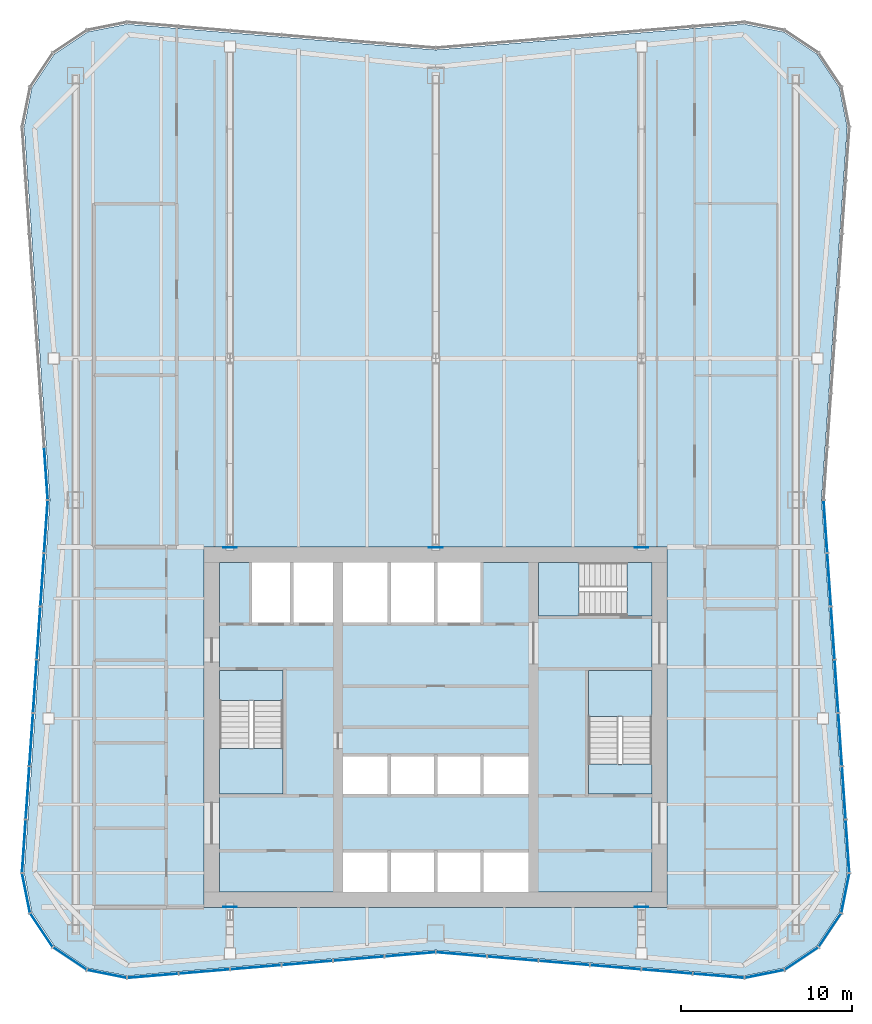
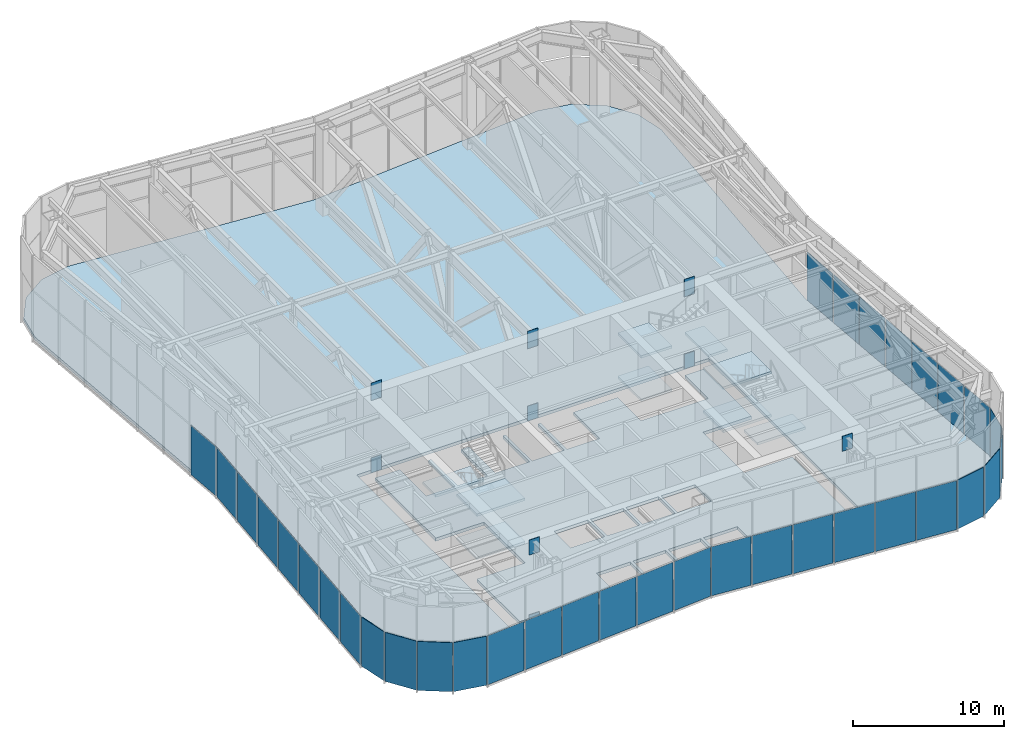
# One storey, part 7 of 14: 45 plates, 11 slabs, 8 elements without a shape of their own.
"""IFC4 building model written with IfcOpenShell, lengths in metres."""

from ifc_helpers import new_model, si_unit, direction, frame, origin, origin_2d, place, context, subcontext, project, spatial, polyline, rectangle, outline, extrude, material, layer, layer_set, type_object, element, aggregate, save


model = new_model("IFC4")

# Units and contexts
model_context = context("Model", 3, precision=1e-05, world=origin(), true_north=direction((0.0, 1.0)))
body_context = subcontext(model_context, "Body", "Model", "MODEL_VIEW")
ifc_project = project(units=[si_unit("LENGTHUNIT", "METRE"), si_unit("AREAUNIT", "SQUARE_METRE"), si_unit("VOLUMEUNIT", "CUBIC_METRE"), si_unit("PLANEANGLEUNIT", "RADIAN"), si_unit("MASSUNIT", "GRAM", prefix="KILO")], contexts=[model_context])

# Site, building, storey
site_placement = place(None, origin())
site = spatial("IfcSite", under=ifc_project, at=site_placement, CompositionType="ELEMENT")
building_placement = place(site_placement, origin())
building = spatial("IfcBuilding", under=site, at=building_placement, Name="Verdant Reach Tower", CompositionType="ELEMENT")
storey_placement = place(building_placement, frame((0.0, 0.0, 226.0)))
storey = spatial("IfcBuildingStorey", under=building, at=storey_placement, Name="L52 Plant", CompositionType="ELEMENT", Elevation=226.0)

# Stair, slabs
ifc_material_1 = material(Name="Concrete C40/50", Category="concrete")
stair_type = type_object("IfcStairType", Name="CO-STAIR", PredefinedType="HALF_TURN_STAIR", material=ifc_material_1)
stair_1_placement = place(storey_placement, origin())
stair_1 = element("IfcStair", 1, at=stair_1_placement, inside=storey, type_object=stair_type, Name="L52 Plant Exit stair 1", PredefinedType="HALF_TURN_STAIR")
ifc_layer_1 = layer(ifc_material_1, 0.199951171875)
ifc_layer_set_1 = layer_set([ifc_layer_1], Name="CO-STAIR-LANDING")
slab_type_1 = type_object("IfcSlabType", Name="CO-STAIR-LANDING", PredefinedType="LANDING", material=ifc_layer_set_1)
slab_1_placement = place(storey_placement, frame((0.0, 0.0, 1.550048828125)))
slab_1 = element("IfcSlab", 2, at=slab_1_placement, type_object=slab_type_1, Name="ST-1 landing 1", PredefinedType="LANDING", context=body_context, shape_type="SweptSolid", body=[
    extrude(outline(polyline([(-12.60009765625, 26.760009765625), (-12.60009765625, 24.10009765625), (-8.89990234375, 24.10009765625), (-8.89990234375, 26.760009765625), (-12.60009765625, 26.760009765625)])), origin(), (0.0, 0.0, 1.0), 0.199951171875),
])
slab_2_placement = place(storey_placement, frame((0.0, 0.0, 3.300048828125)))
slab_2 = element("IfcSlab", 3, at=slab_2_placement, type_object=slab_type_1, Name="ST-1 landing 2", PredefinedType="LANDING", context=body_context, shape_type="SweptSolid", body=[
    extrude(outline(polyline([(-12.60009765625, 31.300048828125), (-12.60009765625, 29.550048828125), (-8.89990234375, 29.550048828125), (-8.89990234375, 31.300048828125), (-12.60009765625, 31.300048828125)])), origin(), (0.0, 0.0, 1.0), 0.199951171875),
])
slab_3_placement = place(storey_placement, frame((0.0, 0.0, 5.050048828125)))
slab_3 = element("IfcSlab", 4, at=slab_3_placement, type_object=slab_type_1, Name="ST-1 landing 3", PredefinedType="LANDING", context=body_context, shape_type="SweptSolid", body=[
    extrude(outline(polyline([(-12.60009765625, 26.760009765625), (-12.60009765625, 24.10009765625), (-8.89990234375, 24.10009765625), (-8.89990234375, 26.760009765625), (-12.60009765625, 26.760009765625)])), origin(), (0.0, 0.0, 1.0), 0.199951171875),
])
aggregate(stair_1, [slab_1, slab_2, slab_3])

stair_2_placement = place(storey_placement, origin())
stair_2 = element("IfcStair", 5, at=stair_2_placement, inside=storey, type_object=stair_type, Name="L52 Plant Exit stair 2", PredefinedType="HALF_TURN_STAIR")
slab_4_placement = place(storey_placement, frame((0.0, 0.0, 1.550048828125)))
slab_4 = element("IfcSlab", 6, at=slab_4_placement, type_object=slab_type_1, Name="ST-2 landing 1", PredefinedType="LANDING", context=body_context, shape_type="SweptSolid", body=[
    extrude(outline(polyline([(12.60009765625, 28.639892578125), (12.60009765625, 31.300048828125), (8.89990234375, 31.300048828125), (8.89990234375, 28.639892578125), (12.60009765625, 28.639892578125)])), origin(), (0.0, 0.0, 1.0), 0.199951171875),
])
slab_5_placement = place(storey_placement, frame((0.0, 0.0, 3.300048828125)))
slab_5 = element("IfcSlab", 7, at=slab_5_placement, type_object=slab_type_1, Name="ST-2 landing 2", PredefinedType="LANDING", context=body_context, shape_type="SweptSolid", body=[
    extrude(outline(polyline([(12.60009765625, 24.10009765625), (12.60009765625, 25.85009765625), (8.89990234375, 25.85009765625), (8.89990234375, 24.10009765625), (12.60009765625, 24.10009765625)])), origin(), (0.0, 0.0, 1.0), 0.199951171875),
])
slab_6_placement = place(storey_placement, frame((0.0, 0.0, 5.050048828125)))
slab_6 = element("IfcSlab", 8, at=slab_6_placement, type_object=slab_type_1, Name="ST-2 landing 3", PredefinedType="LANDING", context=body_context, shape_type="SweptSolid", body=[
    extrude(outline(polyline([(12.60009765625, 28.639892578125), (12.60009765625, 31.300048828125), (8.89990234375, 31.300048828125), (8.89990234375, 28.639892578125), (12.60009765625, 28.639892578125)])), origin(), (0.0, 0.0, 1.0), 0.199951171875),
])
aggregate(stair_2, [slab_4, slab_5, slab_6])

stair_3_placement = place(storey_placement, origin())
stair_3 = element("IfcStair", 9, at=stair_3_placement, inside=storey, type_object=stair_type, Name="L52 Plant Exit stair 3", PredefinedType="HALF_TURN_STAIR")
slab_7_placement = place(storey_placement, frame((0.0, 0.0, 1.550048828125)))
slab_7 = element("IfcSlab", 10, at=slab_7_placement, type_object=slab_type_1, Name="ST-3 landing 1", PredefinedType="LANDING", context=body_context, shape_type="SweptSolid", body=[
    extrude(outline(polyline([(8.360107421875, 37.60009765625), (6.0, 37.60009765625), (6.0, 34.5), (8.360107421875, 34.5), (8.360107421875, 37.60009765625)])), origin(), (0.0, 0.0, 1.0), 0.199951171875),
])
slab_8_placement = place(storey_placement, frame((0.0, 0.0, 3.300048828125)))
slab_8 = element("IfcSlab", 11, at=slab_8_placement, type_object=slab_type_1, Name="ST-3 landing 2", PredefinedType="LANDING", context=body_context, shape_type="SweptSolid", body=[
    extrude(outline(polyline([(12.60009765625, 37.60009765625), (11.14990234375, 37.60009765625), (11.14990234375, 34.5), (12.60009765625, 34.5), (12.60009765625, 37.60009765625)])), origin(), (0.0, 0.0, 1.0), 0.199951171875),
])
slab_9_placement = place(storey_placement, frame((0.0, 0.0, 5.050048828125)))
slab_9 = element("IfcSlab", 12, at=slab_9_placement, type_object=slab_type_1, Name="ST-3 landing 3", PredefinedType="LANDING", context=body_context, shape_type="SweptSolid", body=[
    extrude(outline(polyline([(8.360107421875, 37.60009765625), (6.0, 37.60009765625), (6.0, 34.5), (8.360107421875, 34.5), (8.360107421875, 37.60009765625)])), origin(), (0.0, 0.0, 1.0), 0.199951171875),
])
aggregate(stair_3, [slab_7, slab_8, slab_9])

# Curtain wall, plates
ifc_material_2 = material(Name="Anodised aluminium", Category="aluminium")
curtain_wall_type = type_object("IfcCurtainWallType", Name="EN-CW SYSTEM PLANT", PredefinedType="NOTDEFINED", material=ifc_material_2)
curtain_wall_1_placement = place(storey_placement, origin())
curtain_wall_1 = element("IfcCurtainWall", 13, at=curtain_wall_1_placement, inside=storey, type_object=curtain_wall_type, Name="Curtain wall south-east corner, L52", PredefinedType="NOTDEFINED")
ifc_material_3 = material(Name="Bronze anodised aluminium solid panel", Category="aluminium")
ifc_layer_2 = layer(ifc_material_3, 0.0400390625)
ifc_layer_set_2 = layer_set([ifc_layer_2], Name="EN-PANEL SOLID")
plate_type_1 = type_object("IfcPlateType", Name="EN-PANEL SOLID", PredefinedType="CURTAIN_PANEL", material=ifc_layer_set_2)
plate_1_placement = place(storey_placement, frame((19.174072265625, 13.614013671875, -0.199951171875), z_axis=(0.0, 0.0, 1.0), x_axis=(0.980694678629, 0.195545256419, 0.0)))
plate_1 = element("IfcPlate", 14, at=plate_1_placement, type_object=plate_type_1, Name="Solid panel south-east corner 1.1, L52", PredefinedType="CURTAIN_PANEL", context=body_context, shape_type="SweptSolid", body=[
    extrude(rectangle(XDim=2.304931640625, YDim=0.0400390625, at=origin_2d()), origin(), (0.0, 0.0, 1.0), 3.97509765625),
])
plate_2_placement = place(storey_placement, frame((21.334228515625, 14.510009765625, -0.199951171875), z_axis=(0.0, 0.0, 1.0), x_axis=(0.83145208321, 0.555596466265, 0.0)))
plate_2 = element("IfcPlate", 15, at=plate_2_placement, type_object=plate_type_1, Name="Solid panel south-east corner 2.1, L52", PredefinedType="CURTAIN_PANEL", context=body_context, shape_type="SweptSolid", body=[
    extrude(rectangle(XDim=2.3115234375, YDim=0.0400390625, at=origin_2d()), origin(), (0.0, 0.0, 1.0), 3.97509765625),
])
plate_3_placement = place(storey_placement, frame((22.989990234375, 16.165771484375, -0.199951171875), z_axis=(0.0, 0.0, 1.0), x_axis=(0.555596466265, 0.83145208321, 0.0)))
plate_3 = element("IfcPlate", 16, at=plate_3_placement, type_object=plate_type_1, Name="Solid panel south-east corner 3.1, L52", PredefinedType="CURTAIN_PANEL", context=body_context, shape_type="SweptSolid", body=[
    extrude(rectangle(XDim=2.3115234375, YDim=0.0400390625, at=origin_2d()), origin(), (0.0, 0.0, 1.0), 3.97509765625),
])
plate_4_placement = place(storey_placement, frame((23.885986328125, 18.325439453125, -0.199951171875), z_axis=(0.0, 0.0, 1.0), x_axis=(0.195592962334, 0.980685165119, 0.0)))
plate_4 = element("IfcPlate", 17, at=plate_4_placement, type_object=plate_type_1, Name="Solid panel south-east corner 4.1, L52", PredefinedType="CURTAIN_PANEL", context=body_context, shape_type="SweptSolid", body=[
    extrude(rectangle(XDim=2.303955078125, YDim=0.0400390625, at=origin_2d()), origin(), (0.0, 0.0, 1.0), 3.97509765625),
])
aggregate(curtain_wall_1, [plate_1, plate_2, plate_3, plate_4])

curtain_wall_2_placement = place(storey_placement, origin())
curtain_wall_2 = element("IfcCurtainWall", 18, at=curtain_wall_2_placement, inside=storey, type_object=curtain_wall_type, Name="Curtain wall east, L52", PredefinedType="NOTDEFINED")
plate_5_placement = place(storey_placement, frame((24.011474609375, 21.053955078125, -0.199951171875), z_axis=(0.0, 0.0, 1.0), x_axis=(-0.068469163133, 0.997653233193, 0.0)))
plate_5 = element("IfcPlate", 19, at=plate_5_placement, type_object=plate_type_1, Name="Solid panel east face part 1 1.1, L52", PredefinedType="CURTAIN_PANEL", context=body_context, shape_type="SweptSolid", body=[
    extrude(rectangle(XDim=3.05419921875, YDim=0.0400390625, at=origin_2d()), origin(), (0.0, 0.0, 1.0), 3.97509765625),
])
plate_6_placement = place(storey_placement, frame((23.79736328125, 24.1689453125, -0.199951171875), z_axis=(0.0, 0.0, 1.0), x_axis=(-0.068802091615, 0.997630328423, 0.0)))
plate_6 = element("IfcPlate", 20, at=plate_6_placement, type_object=plate_type_1, Name="Solid panel east face part 1 2.1, L52", PredefinedType="CURTAIN_PANEL", context=body_context, shape_type="SweptSolid", body=[
    extrude(rectangle(XDim=3.03857421875, YDim=0.0400390625, at=origin_2d()), origin(), (0.0, 0.0, 1.0), 3.97509765625),
])
plate_7_placement = place(storey_placement, frame((23.5830078125, 27.276123046875, -0.199951171875), z_axis=(0.0, 0.0, 1.0), x_axis=(-0.068802091615, 0.997630328423, 0.0)))
plate_7 = element("IfcPlate", 21, at=plate_7_placement, type_object=plate_type_1, Name="Solid panel east face part 1 3.1, L52", PredefinedType="CURTAIN_PANEL", context=body_context, shape_type="SweptSolid", body=[
    extrude(rectangle(XDim=3.03857421875, YDim=0.0400390625, at=origin_2d()), origin(), (0.0, 0.0, 1.0), 3.97509765625),
])
plate_8_placement = place(storey_placement, frame((23.36865234375, 30.38330078125, -0.199951171875), z_axis=(0.0, 0.0, 1.0), x_axis=(-0.068802091615, 0.997630328423, 0.0)))
plate_8 = element("IfcPlate", 22, at=plate_8_placement, type_object=plate_type_1, Name="Solid panel east face part 1 4.1, L52", PredefinedType="CURTAIN_PANEL", context=body_context, shape_type="SweptSolid", body=[
    extrude(rectangle(XDim=3.03857421875, YDim=0.0400390625, at=origin_2d()), origin(), (0.0, 0.0, 1.0), 3.97509765625),
])
plate_9_placement = place(storey_placement, frame((23.154541015625, 33.490234375, -0.199951171875), z_axis=(0.0, 0.0, 1.0), x_axis=(-0.068802091615, 0.997630328423, 0.0)))
plate_9 = element("IfcPlate", 23, at=plate_9_placement, type_object=plate_type_1, Name="Solid panel east face part 1 5.1, L52", PredefinedType="CURTAIN_PANEL", context=body_context, shape_type="SweptSolid", body=[
    extrude(rectangle(XDim=3.03857421875, YDim=0.0400390625, at=origin_2d()), origin(), (0.0, 0.0, 1.0), 3.97509765625),
])
plate_10_placement = place(storey_placement, frame((22.940185546875, 36.597412109375, -0.199951171875), z_axis=(0.0, 0.0, 1.0), x_axis=(-0.068802091615, 0.997630328423, 0.0)))
plate_10 = element("IfcPlate", 24, at=plate_10_placement, type_object=plate_type_1, Name="Solid panel east face part 1 6.1, L52", PredefinedType="CURTAIN_PANEL", context=body_context, shape_type="SweptSolid", body=[
    extrude(rectangle(XDim=3.03857421875, YDim=0.0400390625, at=origin_2d()), origin(), (0.0, 0.0, 1.0), 3.97509765625),
])
plate_11_placement = place(storey_placement, frame((22.72607421875, 39.700439453125, -0.199951171875), z_axis=(0.0, 0.0, 1.0), x_axis=(-0.068892655483, 0.997624078509, 0.0)))
plate_11 = element("IfcPlate", 25, at=plate_11_placement, type_object=plate_type_1, Name="Solid panel east face part 1 7.1, L52", PredefinedType="CURTAIN_PANEL", context=body_context, shape_type="SweptSolid", body=[
    extrude(rectangle(XDim=3.0302734375, YDim=0.0400390625, at=origin_2d()), origin(), (0.0, 0.0, 1.0), 3.97509765625),
])
aggregate(curtain_wall_2, [plate_5, plate_6, plate_7, plate_8, plate_9, plate_10, plate_11])

curtain_wall_3_placement = place(storey_placement, origin())
curtain_wall_3 = element("IfcCurtainWall", 26, at=curtain_wall_3_placement, inside=storey, type_object=curtain_wall_type, Name="Curtain wall west, L52", PredefinedType="NOTDEFINED")
plate_12_placement = place(storey_placement, frame((-22.72607421875, 42.799560546875, -0.199951171875), z_axis=(0.0, 0.0, 1.0), x_axis=(0.068892655483, -0.997624078509, 0.0)))
plate_12 = element("IfcPlate", 27, at=plate_12_placement, type_object=plate_type_1, Name="Solid panel west face part 1 7.1, L52", PredefinedType="CURTAIN_PANEL", context=body_context, shape_type="SweptSolid", body=[
    extrude(rectangle(XDim=3.0302734375, YDim=0.0400390625, at=origin_2d()), origin(), (0.0, 0.0, 1.0), 3.97509765625),
])
plate_13_placement = place(storey_placement, frame((-22.72607421875, 39.700439453125, -0.199951171875), z_axis=(0.0, 0.0, 1.0), x_axis=(-0.068892655483, -0.997624078509, 0.0)))
plate_13 = element("IfcPlate", 28, at=plate_13_placement, type_object=plate_type_1, Name="Solid panel west face part 2 1.1, L52", PredefinedType="CURTAIN_PANEL", context=body_context, shape_type="SweptSolid", body=[
    extrude(rectangle(XDim=3.0302734375, YDim=0.0400390625, at=origin_2d()), origin(), (0.0, 0.0, 1.0), 3.97509765625),
])
plate_14_placement = place(storey_placement, frame((-22.940185546875, 36.597412109375, -0.199951171875), z_axis=(0.0, 0.0, 1.0), x_axis=(-0.068802091615, -0.997630328423, 0.0)))
plate_14 = element("IfcPlate", 29, at=plate_14_placement, type_object=plate_type_1, Name="Solid panel west face part 2 2.1, L52", PredefinedType="CURTAIN_PANEL", context=body_context, shape_type="SweptSolid", body=[
    extrude(rectangle(XDim=3.03857421875, YDim=0.0400390625, at=origin_2d()), origin(), (0.0, 0.0, 1.0), 3.97509765625),
])
plate_15_placement = place(storey_placement, frame((-23.154541015625, 33.490234375, -0.199951171875), z_axis=(0.0, 0.0, 1.0), x_axis=(-0.068802091615, -0.997630328423, 0.0)))
plate_15 = element("IfcPlate", 30, at=plate_15_placement, type_object=plate_type_1, Name="Solid panel west face part 2 3.1, L52", PredefinedType="CURTAIN_PANEL", context=body_context, shape_type="SweptSolid", body=[
    extrude(rectangle(XDim=3.03857421875, YDim=0.0400390625, at=origin_2d()), origin(), (0.0, 0.0, 1.0), 3.97509765625),
])
plate_16_placement = place(storey_placement, frame((-23.36865234375, 30.38330078125, -0.199951171875), z_axis=(0.0, 0.0, 1.0), x_axis=(-0.068802091615, -0.997630328423, 0.0)))
plate_16 = element("IfcPlate", 31, at=plate_16_placement, type_object=plate_type_1, Name="Solid panel west face part 2 4.1, L52", PredefinedType="CURTAIN_PANEL", context=body_context, shape_type="SweptSolid", body=[
    extrude(rectangle(XDim=3.03857421875, YDim=0.0400390625, at=origin_2d()), origin(), (0.0, 0.0, 1.0), 3.97509765625),
])
plate_17_placement = place(storey_placement, frame((-23.5830078125, 27.276123046875, -0.199951171875), z_axis=(0.0, 0.0, 1.0), x_axis=(-0.068802091615, -0.997630328423, 0.0)))
plate_17 = element("IfcPlate", 32, at=plate_17_placement, type_object=plate_type_1, Name="Solid panel west face part 2 5.1, L52", PredefinedType="CURTAIN_PANEL", context=body_context, shape_type="SweptSolid", body=[
    extrude(rectangle(XDim=3.03857421875, YDim=0.0400390625, at=origin_2d()), origin(), (0.0, 0.0, 1.0), 3.97509765625),
])
plate_18_placement = place(storey_placement, frame((-23.79736328125, 24.1689453125, -0.199951171875), z_axis=(0.0, 0.0, 1.0), x_axis=(-0.068802091615, -0.997630328423, 0.0)))
plate_18 = element("IfcPlate", 33, at=plate_18_placement, type_object=plate_type_1, Name="Solid panel west face part 2 6.1, L52", PredefinedType="CURTAIN_PANEL", context=body_context, shape_type="SweptSolid", body=[
    extrude(rectangle(XDim=3.03857421875, YDim=0.0400390625, at=origin_2d()), origin(), (0.0, 0.0, 1.0), 3.97509765625),
])
plate_19_placement = place(storey_placement, frame((-24.011474609375, 21.053955078125, -0.199951171875), z_axis=(0.0, 0.0, 1.0), x_axis=(-0.068469163133, -0.997653233193, 0.0)))
plate_19 = element("IfcPlate", 34, at=plate_19_placement, type_object=plate_type_1, Name="Solid panel west face part 2 7.1, L52", PredefinedType="CURTAIN_PANEL", context=body_context, shape_type="SweptSolid", body=[
    extrude(rectangle(XDim=3.05419921875, YDim=0.0400390625, at=origin_2d()), origin(), (0.0, 0.0, 1.0), 3.97509765625),
])
aggregate(curtain_wall_3, [plate_12, plate_13, plate_14, plate_15, plate_16, plate_17, plate_18, plate_19])

curtain_wall_4_placement = place(storey_placement, origin())
curtain_wall_4 = element("IfcCurtainWall", 35, at=curtain_wall_4_placement, inside=storey, type_object=curtain_wall_type, Name="Curtain wall south-west corner, L52", PredefinedType="NOTDEFINED")
plate_20_placement = place(storey_placement, frame((-23.885986328125, 18.325439453125, -0.199951171875), z_axis=(0.0, 0.0, 1.0), x_axis=(0.195592962334, -0.980685165119, 0.0)))
plate_20 = element("IfcPlate", 36, at=plate_20_placement, type_object=plate_type_1, Name="Solid panel south-west corner 1.1, L52", PredefinedType="CURTAIN_PANEL", context=body_context, shape_type="SweptSolid", body=[
    extrude(rectangle(XDim=2.303955078125, YDim=0.0400390625, at=origin_2d()), origin(), (0.0, 0.0, 1.0), 3.97509765625),
])
plate_21_placement = place(storey_placement, frame((-22.989990234375, 16.165771484375, -0.199951171875), z_axis=(0.0, 0.0, 1.0), x_axis=(0.555596466265, -0.83145208321, 0.0)))
plate_21 = element("IfcPlate", 37, at=plate_21_placement, type_object=plate_type_1, Name="Solid panel south-west corner 2.1, L52", PredefinedType="CURTAIN_PANEL", context=body_context, shape_type="SweptSolid", body=[
    extrude(rectangle(XDim=2.3115234375, YDim=0.0400390625, at=origin_2d()), origin(), (0.0, 0.0, 1.0), 3.97509765625),
])
plate_22_placement = place(storey_placement, frame((-21.334228515625, 14.510009765625, -0.199951171875), z_axis=(0.0, 0.0, 1.0), x_axis=(0.83145208321, -0.555596466265, 0.0)))
plate_22 = element("IfcPlate", 38, at=plate_22_placement, type_object=plate_type_1, Name="Solid panel south-west corner 3.1, L52", PredefinedType="CURTAIN_PANEL", context=body_context, shape_type="SweptSolid", body=[
    extrude(rectangle(XDim=2.3115234375, YDim=0.0400390625, at=origin_2d()), origin(), (0.0, 0.0, 1.0), 3.97509765625),
])
plate_23_placement = place(storey_placement, frame((-19.174072265625, 13.614013671875, -0.199951171875), z_axis=(0.0, 0.0, 1.0), x_axis=(0.980694678629, -0.195545256419, 0.0)))
plate_23 = element("IfcPlate", 39, at=plate_23_placement, type_object=plate_type_1, Name="Solid panel south-west corner 4.1, L52", PredefinedType="CURTAIN_PANEL", context=body_context, shape_type="SweptSolid", body=[
    extrude(rectangle(XDim=2.304931640625, YDim=0.0400390625, at=origin_2d()), origin(), (0.0, 0.0, 1.0), 3.97509765625),
])
aggregate(curtain_wall_4, [plate_20, plate_21, plate_22, plate_23])

curtain_wall_5_placement = place(storey_placement, origin())
curtain_wall_5 = element("IfcCurtainWall", 40, at=curtain_wall_5_placement, inside=storey, type_object=curtain_wall_type, Name="Curtain wall south, L52", PredefinedType="NOTDEFINED")
plate_24_placement = place(storey_placement, frame((-16.49853515625, 13.50634765625, -0.199951171875), z_axis=(0.0, 0.0, 1.0), x_axis=(0.996577509664, 0.082663578629, 0.0)))
plate_24 = element("IfcPlate", 41, at=plate_24_placement, type_object=plate_type_1, Name="Solid panel south face part 1 1.1, L52", PredefinedType="CURTAIN_PANEL", context=body_context, shape_type="SweptSolid", body=[
    extrude(rectangle(XDim=2.950927734375, YDim=0.0400390625, at=origin_2d()), origin(), (0.0, 0.0, 1.0), 3.97509765625),
])
plate_25_placement = place(storey_placement, frame((-13.490234375, 13.75634765625, -0.199951171875), z_axis=(0.0, 0.0, 1.0), x_axis=(0.996545758244, 0.083045479859, 0.0)))
plate_25 = element("IfcPlate", 42, at=plate_25_placement, type_object=plate_type_1, Name="Solid panel south face part 1 2.1, L52", PredefinedType="CURTAIN_PANEL", context=body_context, shape_type="SweptSolid", body=[
    extrude(rectangle(XDim=2.934326171875, YDim=0.0400390625, at=origin_2d()), origin(), (0.0, 0.0, 1.0), 3.97509765625),
])
plate_26_placement = place(storey_placement, frame((-10.490234375, 14.00634765625, -0.199951171875), z_axis=(0.0, 0.0, 1.0), x_axis=(0.996545758244, 0.083045479859, 0.0)))
plate_26 = element("IfcPlate", 43, at=plate_26_placement, type_object=plate_type_1, Name="Solid panel south face part 1 3.1, L52", PredefinedType="CURTAIN_PANEL", context=body_context, shape_type="SweptSolid", body=[
    extrude(rectangle(XDim=2.934326171875, YDim=0.0400390625, at=origin_2d()), origin(), (0.0, 0.0, 1.0), 3.97509765625),
])
plate_27_placement = place(storey_placement, frame((-7.490234375, 14.25634765625, -0.199951171875), z_axis=(0.0, 0.0, 1.0), x_axis=(0.996545758244, 0.083045479859, 0.0)))
plate_27 = element("IfcPlate", 44, at=plate_27_placement, type_object=plate_type_1, Name="Solid panel south face part 1 4.1, L52", PredefinedType="CURTAIN_PANEL", context=body_context, shape_type="SweptSolid", body=[
    extrude(rectangle(XDim=2.934326171875, YDim=0.0400390625, at=origin_2d()), origin(), (0.0, 0.0, 1.0), 3.97509765625),
])
plate_28_placement = place(storey_placement, frame((-4.490234375, 14.50634765625, -0.199951171875), z_axis=(0.0, 0.0, 1.0), x_axis=(0.996545758244, 0.083045479859, 0.0)))
plate_28 = element("IfcPlate", 45, at=plate_28_placement, type_object=plate_type_1, Name="Solid panel south face part 1 5.1, L52", PredefinedType="CURTAIN_PANEL", context=body_context, shape_type="SweptSolid", body=[
    extrude(rectangle(XDim=2.934326171875, YDim=0.0400390625, at=origin_2d()), origin(), (0.0, 0.0, 1.0), 3.97509765625),
])
plate_29_placement = place(storey_placement, frame((-1.4951171875, 14.756103515625, -0.199951171875), z_axis=(0.0, 0.0, 1.0), x_axis=(0.996534372104, 0.083182000546, 0.0)))
plate_29 = element("IfcPlate", 46, at=plate_29_placement, type_object=plate_type_1, Name="Solid panel south face part 1 6.1, L52", PredefinedType="CURTAIN_PANEL", context=body_context, shape_type="SweptSolid", body=[
    extrude(rectangle(XDim=2.924560546875, YDim=0.0400390625, at=origin_2d()), origin(), (0.0, 0.0, 1.0), 3.97509765625),
])
plate_30_placement = place(storey_placement, frame((1.4951171875, 14.756103515625, -0.199951171875), z_axis=(0.0, 0.0, 1.0), x_axis=(0.996534372104, -0.083182000546, 0.0)))
plate_30 = element("IfcPlate", 47, at=plate_30_placement, type_object=plate_type_1, Name="Solid panel south face part 2 1.1, L52", PredefinedType="CURTAIN_PANEL", context=body_context, shape_type="SweptSolid", body=[
    extrude(rectangle(XDim=2.924560546875, YDim=0.0400390625, at=origin_2d()), origin(), (0.0, 0.0, 1.0), 3.97509765625),
])
plate_31_placement = place(storey_placement, frame((4.490234375, 14.50634765625, -0.199951171875), z_axis=(0.0, 0.0, 1.0), x_axis=(0.996545758244, -0.083045479859, 0.0)))
plate_31 = element("IfcPlate", 48, at=plate_31_placement, type_object=plate_type_1, Name="Solid panel south face part 2 2.1, L52", PredefinedType="CURTAIN_PANEL", context=body_context, shape_type="SweptSolid", body=[
    extrude(rectangle(XDim=2.934326171875, YDim=0.0400390625, at=origin_2d()), origin(), (0.0, 0.0, 1.0), 3.97509765625),
])
plate_32_placement = place(storey_placement, frame((7.490234375, 14.25634765625, -0.199951171875), z_axis=(0.0, 0.0, 1.0), x_axis=(0.996545758244, -0.083045479859, 0.0)))
plate_32 = element("IfcPlate", 49, at=plate_32_placement, type_object=plate_type_1, Name="Solid panel south face part 2 3.1, L52", PredefinedType="CURTAIN_PANEL", context=body_context, shape_type="SweptSolid", body=[
    extrude(rectangle(XDim=2.934326171875, YDim=0.0400390625, at=origin_2d()), origin(), (0.0, 0.0, 1.0), 3.97509765625),
])
plate_33_placement = place(storey_placement, frame((10.490234375, 14.00634765625, -0.199951171875), z_axis=(0.0, 0.0, 1.0), x_axis=(0.996545758244, -0.083045479859, 0.0)))
plate_33 = element("IfcPlate", 50, at=plate_33_placement, type_object=plate_type_1, Name="Solid panel south face part 2 4.1, L52", PredefinedType="CURTAIN_PANEL", context=body_context, shape_type="SweptSolid", body=[
    extrude(rectangle(XDim=2.934326171875, YDim=0.0400390625, at=origin_2d()), origin(), (0.0, 0.0, 1.0), 3.97509765625),
])
plate_34_placement = place(storey_placement, frame((13.490234375, 13.75634765625, -0.199951171875), z_axis=(0.0, 0.0, 1.0), x_axis=(0.996545758244, -0.083045479859, 0.0)))
plate_34 = element("IfcPlate", 51, at=plate_34_placement, type_object=plate_type_1, Name="Solid panel south face part 2 5.1, L52", PredefinedType="CURTAIN_PANEL", context=body_context, shape_type="SweptSolid", body=[
    extrude(rectangle(XDim=2.934326171875, YDim=0.0400390625, at=origin_2d()), origin(), (0.0, 0.0, 1.0), 3.97509765625),
])
plate_35_placement = place(storey_placement, frame((16.49853515625, 13.50634765625, -0.199951171875), z_axis=(0.0, 0.0, 1.0), x_axis=(0.996577509664, -0.082663578629, 0.0)))
plate_35 = element("IfcPlate", 52, at=plate_35_placement, type_object=plate_type_1, Name="Solid panel south face part 2 6.1, L52", PredefinedType="CURTAIN_PANEL", context=body_context, shape_type="SweptSolid", body=[
    extrude(rectangle(XDim=2.950927734375, YDim=0.0400390625, at=origin_2d()), origin(), (0.0, 0.0, 1.0), 3.97509765625),
])
aggregate(curtain_wall_5, [plate_24, plate_25, plate_26, plate_27, plate_28, plate_29, plate_30, plate_31, plate_32, plate_33, plate_34, plate_35])

# Plates
ifc_material_4 = material(Name="Steel S460", Category="steel")
ifc_layer_3 = layer(ifc_material_4, 0.030029296875)
ifc_layer_set_3 = layer_set([ifc_layer_3], Name="ST-PLATE-CASTIN30")
plate_type_2 = type_object("IfcPlateType", Name="ST-PLATE-CASTIN30", PredefinedType="SHEET", material=ifc_layer_set_3)
plate_36_placement = place(storey_placement, frame((-12.0, 38.485107421875, -0.19287109375), z_axis=(0.0, 0.0, 1.0), x_axis=(1.0, 0.0, 0.0)))
element("IfcPlate", 53, at=plate_36_placement, inside=storey, type_object=plate_type_2, Name="CAST-IN PLATE, belt truss C north bottom chord, L52 Plant", PredefinedType="SHEET", context=body_context, shape_type="SweptSolid", body=[
    extrude(rectangle(XDim=0.800048828125, YDim=0.030029296875, at=origin_2d()), origin(), (0.0, 0.0, 1.0), 1.199951171875),
])
plate_37_placement = place(storey_placement, frame((-12.0, 38.485107421875, 5.662109375), z_axis=(0.0, 0.0, 1.0), x_axis=(1.0, 0.0, 0.0)))
element("IfcPlate", 54, at=plate_37_placement, inside=storey, type_object=plate_type_2, Name="CAST-IN PLATE, belt truss C north top chord, L52 Plant", PredefinedType="SHEET", context=body_context, shape_type="SweptSolid", body=[
    extrude(rectangle(XDim=0.800048828125, YDim=0.030029296875, at=origin_2d()), origin(), (0.0, 0.0, 1.0), 1.407958984375),
])
plate_38_placement = place(storey_placement, frame((-12.0, 17.514892578125, -0.19287109375), z_axis=(0.0, 0.0, 1.0), x_axis=(1.0, 0.0, 0.0)))
element("IfcPlate", 55, at=plate_38_placement, inside=storey, type_object=plate_type_2, Name="CAST-IN PLATE, belt truss C south bottom chord, L52 Plant", PredefinedType="SHEET", context=body_context, shape_type="SweptSolid", body=[
    extrude(rectangle(XDim=0.800048828125, YDim=0.030029296875, at=origin_2d()), origin(), (0.0, 0.0, 1.0), 1.199951171875),
])
plate_39_placement = place(storey_placement, frame((-12.0, 17.514892578125, 5.85595703125), z_axis=(0.0, 0.0, 1.0), x_axis=(1.0, 0.0, 0.0)))
element("IfcPlate", 56, at=plate_39_placement, inside=storey, type_object=plate_type_2, Name="CAST-IN PLATE, belt truss C south top chord, L52 Plant", PredefinedType="SHEET", context=body_context, shape_type="SweptSolid", body=[
    extrude(rectangle(XDim=0.800048828125, YDim=0.030029296875, at=origin_2d()), origin(), (0.0, 0.0, 1.0), 1.214111328125),
])
plate_40_placement = place(storey_placement, frame((0.0, 38.485107421875, -0.19287109375), z_axis=(0.0, 0.0, 1.0), x_axis=(1.0, 0.0, 0.0)))
element("IfcPlate", 57, at=plate_40_placement, inside=storey, type_object=plate_type_2, Name="CAST-IN PLATE, belt truss D north bottom chord, L52 Plant", PredefinedType="SHEET", context=body_context, shape_type="SweptSolid", body=[
    extrude(rectangle(XDim=0.800048828125, YDim=0.030029296875, at=origin_2d()), origin(), (0.0, 0.0, 1.0), 1.199951171875),
])
plate_41_placement = place(storey_placement, frame((0.0, 38.485107421875, 5.662109375), z_axis=(0.0, 0.0, 1.0), x_axis=(1.0, 0.0, 0.0)))
element("IfcPlate", 58, at=plate_41_placement, inside=storey, type_object=plate_type_2, Name="CAST-IN PLATE, belt truss D north top chord, L52 Plant", PredefinedType="SHEET", context=body_context, shape_type="SweptSolid", body=[
    extrude(rectangle(XDim=0.800048828125, YDim=0.030029296875, at=origin_2d()), origin(), (0.0, 0.0, 1.0), 1.407958984375),
])
plate_42_placement = place(storey_placement, frame((12.0, 38.485107421875, -0.19287109375), z_axis=(0.0, 0.0, 1.0), x_axis=(1.0, 0.0, 0.0)))
element("IfcPlate", 59, at=plate_42_placement, inside=storey, type_object=plate_type_2, Name="CAST-IN PLATE, belt truss E north bottom chord, L52 Plant", PredefinedType="SHEET", context=body_context, shape_type="SweptSolid", body=[
    extrude(rectangle(XDim=0.800048828125, YDim=0.030029296875, at=origin_2d()), origin(), (0.0, 0.0, 1.0), 1.199951171875),
])
plate_43_placement = place(storey_placement, frame((12.0, 38.485107421875, 5.662109375), z_axis=(0.0, 0.0, 1.0), x_axis=(1.0, 0.0, 0.0)))
element("IfcPlate", 60, at=plate_43_placement, inside=storey, type_object=plate_type_2, Name="CAST-IN PLATE, belt truss E north top chord, L52 Plant", PredefinedType="SHEET", context=body_context, shape_type="SweptSolid", body=[
    extrude(rectangle(XDim=0.800048828125, YDim=0.030029296875, at=origin_2d()), origin(), (0.0, 0.0, 1.0), 1.407958984375),
])
plate_44_placement = place(storey_placement, frame((12.0, 17.514892578125, -0.19287109375), z_axis=(0.0, 0.0, 1.0), x_axis=(1.0, 0.0, 0.0)))
element("IfcPlate", 61, at=plate_44_placement, inside=storey, type_object=plate_type_2, Name="CAST-IN PLATE, belt truss E south bottom chord, L52 Plant", PredefinedType="SHEET", context=body_context, shape_type="SweptSolid", body=[
    extrude(rectangle(XDim=0.800048828125, YDim=0.030029296875, at=origin_2d()), origin(), (0.0, 0.0, 1.0), 1.199951171875),
])
plate_45_placement = place(storey_placement, frame((12.0, 17.514892578125, 5.85595703125), z_axis=(0.0, 0.0, 1.0), x_axis=(1.0, 0.0, 0.0)))
element("IfcPlate", 62, at=plate_45_placement, inside=storey, type_object=plate_type_2, Name="CAST-IN PLATE, belt truss E south top chord, L52 Plant", PredefinedType="SHEET", context=body_context, shape_type="SweptSolid", body=[
    extrude(rectangle(XDim=0.800048828125, YDim=0.030029296875, at=origin_2d()), origin(), (0.0, 0.0, 1.0), 1.214111328125),
])

# Slabs
ifc_material_5 = material(Name="Concrete C35/45", Category="concrete")
ifc_layer_4 = layer(ifc_material_5, 0.25)
ifc_layer_set_4 = layer_set([ifc_layer_4], Name="ST-SLAB-250")
slab_type_2 = type_object("IfcSlabType", Name="ST-SLAB-250", PredefinedType="FLOOR", material=ifc_layer_set_4)
slab_10_placement = place(storey_placement, frame((0.0, 0.0, -0.25)))
element("IfcSlab", 63, at=slab_10_placement, inside=storey, type_object=slab_type_2, Name="Floor slab L52 Plant", PredefinedType="FLOOR", context=body_context, shape_type="SweptSolid", body=[
    extrude(outline(polyline([(0.0, 15.0), (-18.0, 13.5), (-20.296142578125, 13.956787109375), (-22.24267578125, 15.25732421875), (-23.543212890625, 17.203857421875), (-24.0, 19.5), (-22.5, 41.25), (-24.0, 63.0), (-23.543212890625, 65.296142578125), (-22.24267578125, 67.24267578125), (-20.296142578125, 68.543212890625), (-18.0, 69.0), (0.0, 67.5), (18.0, 69.0), (20.296142578125, 68.543212890625), (22.24267578125, 67.24267578125), (23.543212890625, 65.296142578125), (24.0, 63.0), (22.5, 41.25), (24.0, 19.5), (23.543212890625, 17.203857421875), (22.24267578125, 15.25732421875), (20.296142578125, 13.956787109375), (18.0, 13.5), (0.0, 15.0)]), holes=[polyline([(13.5, 38.5), (-13.5, 38.5), (-13.5, 17.5), (13.5, 17.5), (13.5, 38.5)])]), origin(), (0.0, 0.0, 1.0), 0.25),
])
slab_11_placement = place(storey_placement, frame((0.0, 0.0, -0.25)))
element("IfcSlab", 64, at=slab_11_placement, inside=storey, type_object=slab_type_2, Name="Core floor slab L52 Plant", PredefinedType="FLOOR", context=body_context, shape_type="SweptSolid", body=[
    extrude(outline(polyline([(12.60009765625, 18.39990234375), (5.39990234375, 18.39990234375), (5.39990234375, 20.699951171875), (2.800048828125, 20.699951171875), (2.800048828125, 18.39990234375), (2.60009765625, 18.39990234375), (2.60009765625, 20.699951171875), (0.10009765625, 20.699951171875), (0.10009765625, 18.39990234375), (-0.10009765625, 18.39990234375), (-0.10009765625, 20.699951171875), (-2.60009765625, 20.699951171875), (-2.60009765625, 18.39990234375), (-2.800048828125, 18.39990234375), (-2.800048828125, 20.699951171875), (-5.39990234375, 20.699951171875), (-5.39990234375, 18.39990234375), (-12.60009765625, 18.39990234375), (-12.60009765625, 24.10009765625), (-8.89990234375, 24.10009765625), (-8.89990234375, 29.548095703125), (-12.60009765625, 29.548095703125), (-12.60009765625, 37.60009765625), (-10.699951171875, 37.60009765625), (-10.699951171875, 34.10009765625), (-8.5, 34.10009765625), (-8.5, 37.60009765625), (-8.300048828125, 37.60009765625), (-8.300048828125, 34.10009765625), (-6.0, 34.10009765625), (-6.0, 37.60009765625), (-5.39990234375, 37.60009765625), (-5.39990234375, 34.10009765625), (-2.800048828125, 34.10009765625), (-2.800048828125, 37.60009765625), (-2.60009765625, 37.60009765625), (-2.60009765625, 34.10009765625), (-0.10009765625, 34.10009765625), (-0.10009765625, 37.60009765625), (0.10009765625, 37.60009765625), (0.10009765625, 34.10009765625), (2.60009765625, 34.10009765625), (2.60009765625, 37.60009765625), (6.0, 37.60009765625), (6.0, 34.5), (11.14794921875, 34.5), (11.14794921875, 37.60009765625), (12.60009765625, 37.60009765625), (12.60009765625, 31.300048828125), (8.89990234375, 31.300048828125), (8.89990234375, 25.85205078125), (12.60009765625, 25.85205078125), (12.60009765625, 18.39990234375)]), holes=[polyline([(-2.800048828125, 24.10009765625), (-2.800048828125, 26.300048828125), (-5.39990234375, 26.300048828125), (-5.39990234375, 24.10009765625), (-2.800048828125, 24.10009765625)]), polyline([(-0.10009765625, 24.10009765625), (-0.10009765625, 26.300048828125), (-2.60009765625, 26.300048828125), (-2.60009765625, 24.10009765625), (-0.10009765625, 24.10009765625)]), polyline([(2.60009765625, 24.10009765625), (2.60009765625, 26.300048828125), (0.10009765625, 26.300048828125), (0.10009765625, 24.10009765625), (2.60009765625, 24.10009765625)]), polyline([(5.39990234375, 24.10009765625), (5.39990234375, 26.300048828125), (2.800048828125, 26.300048828125), (2.800048828125, 24.10009765625), (5.39990234375, 24.10009765625)])]), origin(), (0.0, 0.0, 1.0), 0.25),
])

save(model, "model.ifc")
